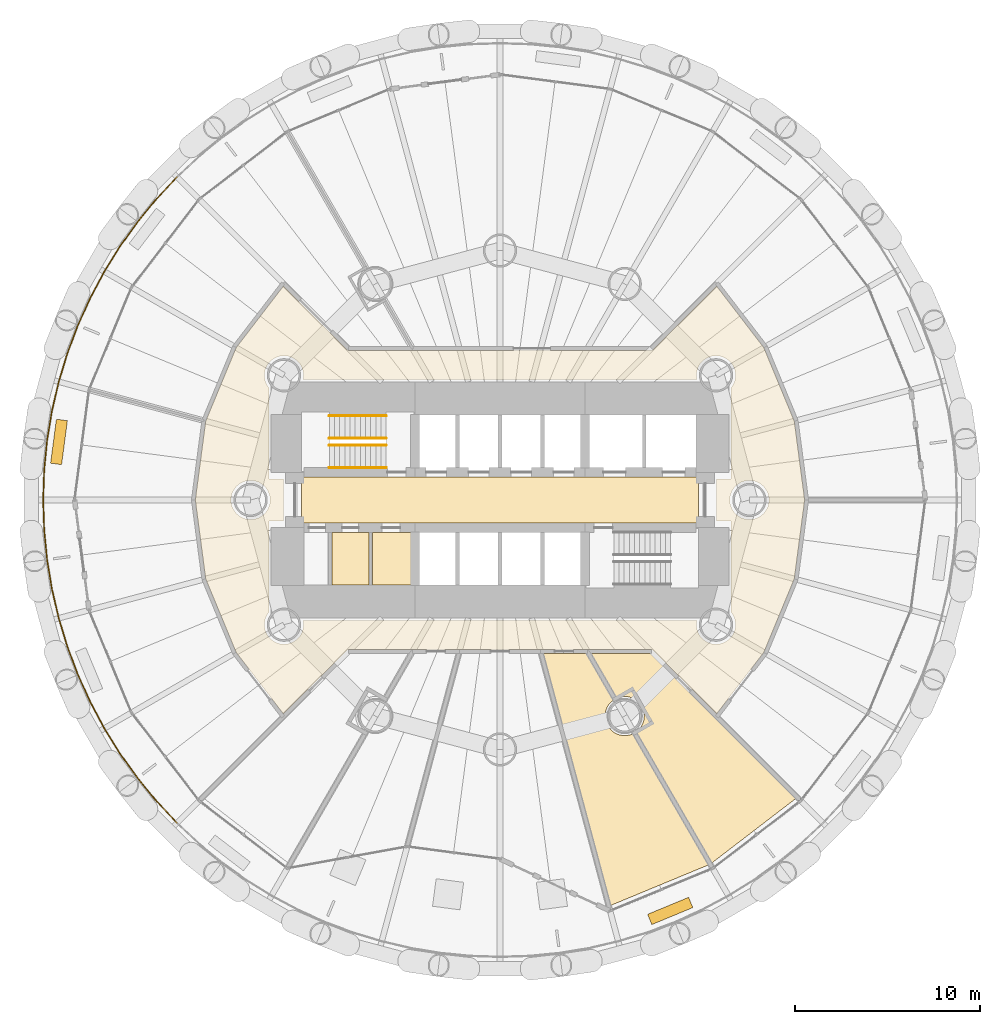
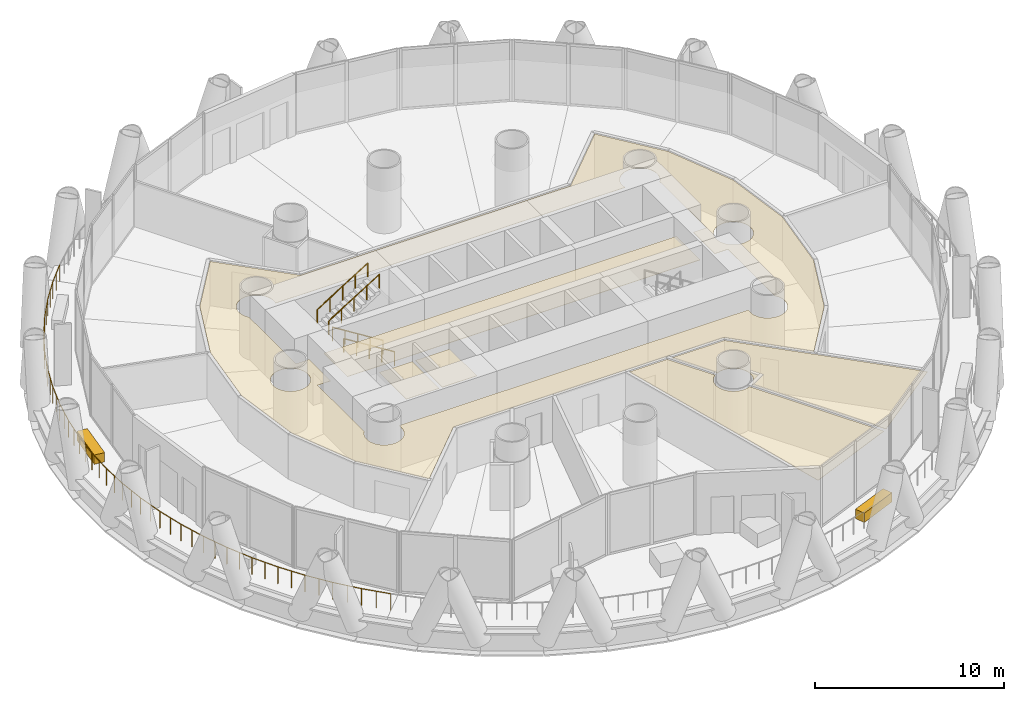
# One storey, part 13 of 15: 8 coverings, 5 railings.
"""IFC4 building model written with IfcOpenShell, lengths in metres."""

import ifcopenshell
import ifcopenshell.guid

model = None  # the IFC model being written
_history = None  # IfcOwnerHistory: only IFC2X3 demands one
_inside = {}  # id of a spatial element -> (the spatial element, [elements in it])
_under = {}  # id of a project, library or spatial element -> (it, [spatial elements below it])
_declared = {}  # id of a project -> (the project, [libraries it declares])
_typed = {}  # id of a type object -> (the type object, [elements of that type])
_made_of = {}  # id of a material, layer set ... -> (it, [elements and type objects made of it])


def new_model(schema):
    """Start an empty IFC model of exactly this schema.

    Asked for "IFC4X3", IfcOpenShell would pick the latest addendum, in which some entities
    have other attributes; the version numbers below select the first issue.
    IFC2X3 requires an IfcOwnerHistory on every rooted entity: one is made here for all.
    """
    global model, _history
    if schema == "IFC4X3":
        model = ifcopenshell.file(schema_version=(4, 3, 0, 0))
    else:
        model = ifcopenshell.file(schema=schema)
    _inside.clear()
    _under.clear()
    _declared.clear()
    _typed.clear()
    _made_of.clear()
    _history = None
    if model.schema == "IFC2X3":
        org = make("IfcOrganization", Name="unknown")
        user = make(
            "IfcPersonAndOrganization",
            ThePerson=make("IfcPerson", FamilyName="unknown"),
            TheOrganization=org,
        )
        app = make(
            "IfcApplication",
            ApplicationDeveloper=org,
            Version="unknown",
            ApplicationFullName="unknown",
            ApplicationIdentifier="unknown",
        )
        _history = make(
            "IfcOwnerHistory",
            OwningUser=user,
            OwningApplication=app,
            ChangeAction="ADDED",
            CreationDate=0,
        )
    return model


def make(cls, **values):
    """One entity of the class cls with the attributes given. An attribute that is None is left unset."""
    return model.create_entity(
        cls, **{name: value for name, value in values.items() if value is not None}
    )


def rooted(cls, **values):
    """An entity with a GlobalId (a new one), such as an element, a storey or a relation."""
    return make(cls, GlobalId=ifcopenshell.guid.new(), OwnerHistory=_history, **values)


def si_unit(unit_type, name, prefix=None):
    """IfcSIUnit, for example si_unit("LENGTHUNIT", "METRE", prefix="MILLI")."""
    return make("IfcSIUnit", UnitType=unit_type, Prefix=prefix, Name=name)


def assignment(units):
    """IfcUnitAssignment: the units of a project."""
    return None if units is None else make("IfcUnitAssignment", Units=units)


def point(xyz):
    """IfcCartesianPoint."""
    return None if xyz is None else make("IfcCartesianPoint", Coordinates=xyz)


def direction(xyz):
    """IfcDirection."""
    return None if xyz is None else make("IfcDirection", DirectionRatios=xyz)


def frame(location, z_axis=None, x_axis=None):
    """IfcAxis2Placement3D, a coordinate frame: its origin and axes. An axis left out is left unset."""
    return make(
        "IfcAxis2Placement3D",
        Location=point(location),
        Axis=direction(z_axis),
        RefDirection=direction(x_axis),
    )


def frame_2d(location, x_axis=None):
    """IfcAxis2Placement2D, a coordinate frame in the plane: its origin and x axis."""
    return make(
        "IfcAxis2Placement2D", Location=point(location), RefDirection=direction(x_axis)
    )


def origin():
    """The frame at (0, 0, 0) with its axes left unset."""
    return frame((0.0, 0.0, 0.0))


def origin_2d():
    """The frame at (0, 0) in the plane with its x axis left unset."""
    return frame_2d((0.0, 0.0))


def place(relative_to, where):
    """IfcLocalPlacement: puts the frame where relative to a parent placement (None: the world)."""
    return make(
        "IfcLocalPlacement", PlacementRelTo=relative_to, RelativePlacement=where
    )


def context(
    kind, dimensions, precision=None, world=None, true_north=None, identifier=None
):
    """IfcGeometricRepresentationContext, for example the 3D "Model" context."""
    return make(
        "IfcGeometricRepresentationContext",
        ContextIdentifier=identifier,
        ContextType=kind,
        CoordinateSpaceDimension=dimensions,
        Precision=precision,
        WorldCoordinateSystem=world,
        TrueNorth=true_north,
    )


def subcontext(parent, identifier, kind, view, scale=None):
    """IfcGeometricRepresentationSubContext, for example "Body" below "Model"."""
    return make(
        "IfcGeometricRepresentationSubContext",
        ContextIdentifier=identifier,
        ContextType=kind,
        ParentContext=parent,
        TargetScale=scale,
        TargetView=view,
    )


def project(units=None, contexts=None):
    """IfcProject with its units and contexts."""
    return rooted(
        "IfcProject",
        Name="project",
        RepresentationContexts=contexts,
        UnitsInContext=assignment(units),
    )


def spatial(cls, under=None, at=None, **own):
    """A site, building, storey or space (cls), placed at a placement, below another one or the project."""
    s = rooted(cls, ObjectPlacement=at, **own)
    if under is not None:
        _under.setdefault(under.id(), (under, []))[1].append(s)
    return s


def polyline(points):
    """IfcPolyline through the points."""
    return make("IfcPolyline", Points=[point(p) for p in points])


def profile(cls, at=None, kind="AREA", **sizes):
    """A parametric profile (cls). Its sizes go by their IFC names, for example OverallWidth=200.0."""
    return make(cls, ProfileType=kind, Position=at, **sizes)


def rectangle(**sizes):
    """IfcRectangleProfileDef."""
    return profile("IfcRectangleProfileDef", **sizes)


def circle(**sizes):
    """IfcCircleProfileDef."""
    return profile("IfcCircleProfileDef", **sizes)


def outline(outer, holes=None, kind="AREA"):
    """IfcArbitraryClosedProfileDef: a profile drawn as a closed curve; with holes, ...WithVoids."""
    if holes is None:
        return make("IfcArbitraryClosedProfileDef", ProfileType=kind, OuterCurve=outer)
    return make(
        "IfcArbitraryProfileDefWithVoids",
        ProfileType=kind,
        OuterCurve=outer,
        InnerCurves=holes,
    )


def extrude(swept, where, along, depth):
    """IfcExtrudedAreaSolid: the profile swept, set in the frame where, extruded along a direction by depth."""
    return make(
        "IfcExtrudedAreaSolid",
        SweptArea=swept,
        Position=where,
        ExtrudedDirection=direction(along),
        Depth=depth,
    )


def shape(context_of_items, identifier, shape_type, items):
    """IfcShapeRepresentation: the items that make up one representation, for example the "Body"."""
    return make(
        "IfcShapeRepresentation",
        ContextOfItems=context_of_items,
        RepresentationIdentifier=identifier,
        RepresentationType=shape_type,
        Items=items,
    )


def material(Name=None, Category=None):
    """IfcMaterial."""
    return make("IfcMaterial", Name=Name, Category=Category)


def layer(
    of_material, thickness, ventilated=None, Name=None, Category=None, Priority=None
):
    """IfcMaterialLayer: one layer of a wall or slab, of a material (None: an air gap)."""
    return make(
        "IfcMaterialLayer",
        Material=of_material,
        LayerThickness=thickness,
        IsVentilated=ventilated,
        Name=Name,
        Category=Category,
        Priority=Priority,
    )


def layer_set(layers, Name=None):
    """IfcMaterialLayerSet."""
    return make("IfcMaterialLayerSet", MaterialLayers=layers, LayerSetName=Name)


def made_of(thing, what):
    """Note that an element or type object is made of a material, layer set ...; save() writes the relation."""
    if what is not None:
        _made_of.setdefault(what.id(), (what, []))[1].append(thing)
    return thing


def type_object(cls, material=None, **own):
    """A type object (cls), such as IfcWallType, which elements share."""
    return made_of(rooted(cls, **own), material)


def element(
    cls,
    number,
    at=None,
    inside=None,
    cuts=None,
    type_object=None,
    material=None,
    context=None,
    identifier="Body",
    shape_type=None,
    held_by="IfcProductDefinitionShape",
    body=None,
    shapes=None,
    **own,
):
    """One element of the class cls, such as IfcWall. Its Tag is "e" and its number.

    at: its placement. inside: the storey or other place that contains it. cuts: it is an
    opening in that element (IfcRelVoidsElement). A single representation is given by context,
    identifier, shape_type and body (its items); several are given by shapes. held_by: the class
    of the entity that holds the representations. save() writes the other relations.
    """
    e = rooted(cls, Tag="e%d" % number, ObjectPlacement=at, **own)
    if body is not None:
        shapes = [shape(context, identifier, shape_type, body)]
    if shapes is not None:
        e.Representation = make(held_by, Representations=shapes)
    if inside is not None:
        _inside.setdefault(inside.id(), (inside, []))[1].append(e)
    if cuts is not None:
        rooted(
            "IfcRelVoidsElement", RelatingBuildingElement=cuts, RelatedOpeningElement=e
        )
    if type_object is not None:
        _typed.setdefault(type_object.id(), (type_object, []))[1].append(e)
    return made_of(e, material)


def aggregate(whole, parts):
    """IfcRelAggregates: a whole, such as a stair, and the parts it consists of."""
    return rooted("IfcRelAggregates", RelatingObject=whole, RelatedObjects=parts)


def save(model, path):
    """Write the relations noted so far, then the file.

    IfcRelAggregates (storeys below a building ...), IfcRelContainedInSpatialStructure (elements
    in a storey), IfcRelDefinesByType, IfcRelAssociatesMaterial and IfcRelDeclares: one each for
    every whole, place, type object, material and project.
    """
    for whole, parts in _under.values():
        aggregate(whole, parts)
    for where, things in _inside.values():
        rooted(
            "IfcRelContainedInSpatialStructure",
            RelatedElements=things,
            RelatingStructure=where,
        )
    for kind, things in _typed.values():
        rooted("IfcRelDefinesByType", RelatedObjects=things, RelatingType=kind)
    for what, things in _made_of.values():
        rooted("IfcRelAssociatesMaterial", RelatedObjects=things, RelatingMaterial=what)
    for by, libraries in _declared.values():
        rooted("IfcRelDeclares", RelatingContext=by, RelatedDefinitions=libraries)
    model.write(path)


model = new_model("IFC4")

# Units and contexts
model_context = context("Model", 3, precision=1e-05, world=origin(), true_north=direction((0.0, 1.0)))
body_context = subcontext(model_context, "Body", "Model", "MODEL_VIEW")
ifc_project = project(units=[si_unit("LENGTHUNIT", "METRE"), si_unit("AREAUNIT", "SQUARE_METRE"), si_unit("VOLUMEUNIT", "CUBIC_METRE"), si_unit("PLANEANGLEUNIT", "RADIAN"), si_unit("MASSUNIT", "GRAM", prefix="KILO")], contexts=[model_context])

# Site, building, storey
site_placement = place(None, origin())
site = spatial("IfcSite", under=ifc_project, at=site_placement, CompositionType="ELEMENT")
building_placement = place(site_placement, origin())
building = spatial("IfcBuilding", under=site, at=building_placement, Name="Qaws Media Tower", CompositionType="ELEMENT")
storey_placement = place(building_placement, frame((0.0, 0.0, 97.39990234375)))
storey = spatial("IfcBuildingStorey", under=building, at=storey_placement, Name="L21", CompositionType="ELEMENT", Elevation=97.39990234375)

# Railing
ifc_material_1 = material(Name="Stainless steel and glass guard", Category="steel")
railing_type_1 = type_object("IfcRailingType", Name="Balcony guard 1100", PredefinedType="GUARDRAIL", material=ifc_material_1)
railing_placement = place(storey_placement, frame((42.516845703125, 67.483154296875, 0.0)))
element("IfcRailing", 1, at=railing_placement, inside=storey, type_object=railing_type_1, Name="GR1 balcony guard L21-2", PredefinedType="GUARDRAIL", context=body_context, shape_type="SweptSolid", body=[
    extrude(circle(Radius=0.02392578125, at=origin_2d()), frame((0.0, 0.0, 1.076171875), z_axis=(-0.683644955453, -0.729814753813, 0.0), x_axis=(0.729814753813, -0.683644955453, 0.0)), (0.0, 0.0, 1.0), 1.6181640625),
    extrude(circle(Radius=0.02392578125, at=origin_2d()), frame((-1.106201171875, -1.180908203125, 1.076171875), z_axis=(-0.634362857361, -0.773035422992, 0.0), x_axis=(0.773035422992, -0.634362857361, 0.0)), (0.0, 0.0, 1.0), 1.617919921875),
    extrude(circle(Radius=0.02392578125, at=origin_2d()), frame((-2.132568359375, -2.431640625, 1.076171875), z_axis=(-0.582522264877, -0.812814745759, 0.0), x_axis=(0.812814745759, -0.582522264877, 0.0)), (0.0, 0.0, 1.0), 1.61767578125),
    extrude(circle(Radius=0.02392578125, at=origin_2d()), frame((-3.074951171875, -3.74658203125, 1.076171875), z_axis=(-0.528098829061, -0.84918291713, 0.0), x_axis=(0.84918291713, -0.528098829061, 0.0)), (0.0, 0.0, 1.0), 1.6181640625),
    extrude(circle(Radius=0.02392578125, at=origin_2d()), frame((-3.929443359375, -5.12060546875, 1.076171875), z_axis=(-0.471371200806, -0.88193491316, 0.0), x_axis=(0.88193491316, -0.471371200806, 0.0)), (0.0, 0.0, 1.0), 1.617919921875),
    extrude(circle(Radius=0.02392578125, at=origin_2d()), frame((-4.692138671875, -6.547607421875, 1.076171875), z_axis=(-0.412722552214, -0.91085679165, 0.0), x_axis=(0.91085679165, -0.412722552214, 0.0)), (0.0, 0.0, 1.0), 1.617919921875),
    extrude(circle(Radius=0.02392578125, at=origin_2d()), frame((-5.35986328125, -8.021240234375, 1.076171875), z_axis=(-0.352164948958, -0.935937951322, 0.0), x_axis=(0.935937951322, -0.352164948958, 0.0)), (0.0, 0.0, 1.0), 1.6181640625),
    extrude(circle(Radius=0.02392578125, at=origin_2d()), frame((-5.9296875, -9.53564453125, 1.076171875), z_axis=(-0.290350826937, -0.956920266949, 0.0), x_axis=(0.956920266949, -0.290350826937, 0.0)), (0.0, 0.0, 1.0), 1.61767578125),
    extrude(circle(Radius=0.02392578125, at=origin_2d()), frame((-6.3994140625, -11.083740234375, 1.076171875), z_axis=(-0.227062683053, -0.973880145585, 0.0), x_axis=(0.973880145585, -0.227062683053, 0.0)), (0.0, 0.0, 1.0), 1.6181640625),
    extrude(circle(Radius=0.02392578125, at=origin_2d()), frame((-6.766845703125, -12.65966796875, 1.076171875), z_axis=(-0.162832572423, -0.986653715018, 0.0), x_axis=(0.986653715018, -0.162832572423, 0.0)), (0.0, 0.0, 1.0), 1.61767578125),
    extrude(circle(Radius=0.02392578125, at=origin_2d()), frame((-7.0302734375, -14.255859375, 1.076171875), z_axis=(-0.098084271892, -0.995178112504, 0.0), x_axis=(0.995178112504, -0.098084271892, 0.0)), (0.0, 0.0, 1.0), 1.617919921875),
    extrude(circle(Radius=0.02392578125, at=origin_2d()), frame((-7.18896484375, -15.865966796875, 1.076171875), z_axis=(-0.032742097212, -0.999463833798, 0.0), x_axis=(0.999463833798, -0.032742097212, 0.0)), (0.0, 0.0, 1.0), 1.6181640625),
    extrude(circle(Radius=0.02392578125, at=origin_2d()), frame((-7.241943359375, -17.483154296875, 1.076171875), z_axis=(0.032742097212, -0.999463833798, 0.0), x_axis=(0.999463833798, 0.032742097212, 0.0)), (0.0, 0.0, 1.0), 1.6181640625),
    extrude(circle(Radius=0.02392578125, at=origin_2d()), frame((-7.18896484375, -19.100341796875, 1.076171875), z_axis=(0.098084271892, -0.995178112504, 0.0), x_axis=(0.995178112504, 0.098084271892, 0.0)), (0.0, 0.0, 1.0), 1.617919921875),
    extrude(circle(Radius=0.02392578125, at=origin_2d()), frame((-7.0302734375, -20.71044921875, 1.076171875), z_axis=(0.162832572423, -0.986653715018, 0.0), x_axis=(0.986653715018, 0.162832572423, 0.0)), (0.0, 0.0, 1.0), 1.61767578125),
    extrude(circle(Radius=0.02392578125, at=origin_2d()), frame((-6.766845703125, -22.306640625, 1.076171875), z_axis=(0.227062683053, -0.973880145585, 0.0), x_axis=(0.973880145585, 0.227062683053, 0.0)), (0.0, 0.0, 1.0), 1.6181640625),
    extrude(circle(Radius=0.02392578125, at=origin_2d()), frame((-6.3994140625, -23.882568359375, 1.076171875), z_axis=(0.290350826937, -0.956920266949, 0.0), x_axis=(0.956920266949, 0.290350826937, 0.0)), (0.0, 0.0, 1.0), 1.61767578125),
    extrude(circle(Radius=0.02392578125, at=origin_2d()), frame((-5.9296875, -25.4306640625, 1.076171875), z_axis=(0.352164948958, -0.935937951322, 0.0), x_axis=(0.935937951322, 0.352164948958, 0.0)), (0.0, 0.0, 1.0), 1.6181640625),
    extrude(circle(Radius=0.02392578125, at=origin_2d()), frame((-5.35986328125, -26.945068359375, 1.076171875), z_axis=(0.412722552214, -0.91085679165, 0.0), x_axis=(0.91085679165, 0.412722552214, 0.0)), (0.0, 0.0, 1.0), 1.617919921875),
    extrude(circle(Radius=0.02392578125, at=origin_2d()), frame((-4.692138671875, -28.418701171875, 1.076171875), z_axis=(0.471371200806, -0.88193491316, 0.0), x_axis=(0.88193491316, 0.471371200806, 0.0)), (0.0, 0.0, 1.0), 1.617919921875),
    extrude(circle(Radius=0.02392578125, at=origin_2d()), frame((-3.929443359375, -29.845703125, 1.076171875), z_axis=(0.528098829061, -0.84918291713, 0.0), x_axis=(0.84918291713, 0.528098829061, 0.0)), (0.0, 0.0, 1.0), 1.6181640625),
    extrude(circle(Radius=0.02392578125, at=origin_2d()), frame((-3.074951171875, -31.2197265625, 1.076171875), z_axis=(0.582522264877, -0.812814745759, 0.0), x_axis=(0.812814745759, 0.582522264877, 0.0)), (0.0, 0.0, 1.0), 1.61767578125),
    extrude(circle(Radius=0.02392578125, at=origin_2d()), frame((-2.132568359375, -32.53466796875, 1.076171875), z_axis=(0.634362857361, -0.773035422992, 0.0), x_axis=(0.773035422992, 0.634362857361, 0.0)), (0.0, 0.0, 1.0), 1.617919921875),
    extrude(circle(Radius=0.02392578125, at=origin_2d()), frame((-1.106201171875, -33.785400390625, 1.076171875), z_axis=(0.683644955453, -0.729814753813, 0.0), x_axis=(0.729814753813, 0.683644955453, 0.0)), (0.0, 0.0, 1.0), 1.6181640625),
    extrude(circle(Radius=0.02099609375, at=origin_2d()), origin(), (0.0, 0.0, 1.0), 1.052001953125),
    extrude(circle(Radius=0.02099609375, at=origin_2d()), frame((-0.55322265625, -0.59033203125, 0.0)), (0.0, 0.0, 1.0), 1.052001953125),
    extrude(circle(Radius=0.02099609375, at=origin_2d()), frame((-1.106201171875, -1.180908203125, 0.0)), (0.0, 0.0, 1.0), 1.052001953125),
    extrude(circle(Radius=0.02099609375, at=origin_2d()), frame((-1.619384765625, -1.80615234375, 0.0)), (0.0, 0.0, 1.0), 1.052001953125),
    extrude(circle(Radius=0.02099609375, at=origin_2d()), frame((-2.132568359375, -2.431640625, 0.0)), (0.0, 0.0, 1.0), 1.052001953125),
    extrude(circle(Radius=0.02099609375, at=origin_2d()), frame((-2.603759765625, -3.089111328125, 0.0)), (0.0, 0.0, 1.0), 1.052001953125),
    extrude(circle(Radius=0.02099609375, at=origin_2d()), frame((-3.074951171875, -3.74658203125, 0.0)), (0.0, 0.0, 1.0), 1.052001953125),
    extrude(circle(Radius=0.02099609375, at=origin_2d()), frame((-3.502197265625, -4.43359375, 0.0)), (0.0, 0.0, 1.0), 1.052001953125),
    extrude(circle(Radius=0.02099609375, at=origin_2d()), frame((-3.929443359375, -5.12060546875, 0.0)), (0.0, 0.0, 1.0), 1.052001953125),
    extrude(circle(Radius=0.02099609375, at=origin_2d()), frame((-4.310791015625, -5.833984375, 0.0)), (0.0, 0.0, 1.0), 1.052001953125),
    extrude(circle(Radius=0.02099609375, at=origin_2d()), frame((-4.692138671875, -6.547607421875, 0.0)), (0.0, 0.0, 1.0), 1.052001953125),
    extrude(circle(Radius=0.02099609375, at=origin_2d()), frame((-5.02587890625, -7.284423828125, 0.0)), (0.0, 0.0, 1.0), 1.052001953125),
    extrude(circle(Radius=0.02099609375, at=origin_2d()), frame((-5.35986328125, -8.021240234375, 0.0)), (0.0, 0.0, 1.0), 1.052001953125),
    extrude(circle(Radius=0.02099609375, at=origin_2d()), frame((-5.644775390625, -8.7783203125, 0.0)), (0.0, 0.0, 1.0), 1.052001953125),
    extrude(circle(Radius=0.02099609375, at=origin_2d()), frame((-5.9296875, -9.53564453125, 0.0)), (0.0, 0.0, 1.0), 1.052001953125),
    extrude(circle(Radius=0.02099609375, at=origin_2d()), frame((-6.16455078125, -10.3095703125, 0.0)), (0.0, 0.0, 1.0), 1.052001953125),
    extrude(circle(Radius=0.02099609375, at=origin_2d()), frame((-6.3994140625, -11.083740234375, 0.0)), (0.0, 0.0, 1.0), 1.052001953125),
    extrude(circle(Radius=0.02099609375, at=origin_2d()), frame((-6.5830078125, -11.87158203125, 0.0)), (0.0, 0.0, 1.0), 1.052001953125),
    extrude(circle(Radius=0.02099609375, at=origin_2d()), frame((-6.766845703125, -12.65966796875, 0.0)), (0.0, 0.0, 1.0), 1.052001953125),
    extrude(circle(Radius=0.02099609375, at=origin_2d()), frame((-6.8984375, -13.457763671875, 0.0)), (0.0, 0.0, 1.0), 1.052001953125),
    extrude(circle(Radius=0.02099609375, at=origin_2d()), frame((-7.0302734375, -14.255859375, 0.0)), (0.0, 0.0, 1.0), 1.052001953125),
    extrude(circle(Radius=0.02099609375, at=origin_2d()), frame((-7.109619140625, -15.06103515625, 0.0)), (0.0, 0.0, 1.0), 1.052001953125),
    extrude(circle(Radius=0.02099609375, at=origin_2d()), frame((-7.18896484375, -15.865966796875, 0.0)), (0.0, 0.0, 1.0), 1.052001953125),
    extrude(circle(Radius=0.02099609375, at=origin_2d()), frame((-7.21533203125, -16.674560546875, 0.0)), (0.0, 0.0, 1.0), 1.052001953125),
    extrude(circle(Radius=0.02099609375, at=origin_2d()), frame((-7.241943359375, -17.483154296875, 0.0)), (0.0, 0.0, 1.0), 1.052001953125),
    extrude(circle(Radius=0.02099609375, at=origin_2d()), frame((-7.21533203125, -18.291748046875, 0.0)), (0.0, 0.0, 1.0), 1.052001953125),
    extrude(circle(Radius=0.02099609375, at=origin_2d()), frame((-7.18896484375, -19.100341796875, 0.0)), (0.0, 0.0, 1.0), 1.052001953125),
    extrude(circle(Radius=0.02099609375, at=origin_2d()), frame((-7.109619140625, -19.9052734375, 0.0)), (0.0, 0.0, 1.0), 1.052001953125),
    extrude(circle(Radius=0.02099609375, at=origin_2d()), frame((-7.0302734375, -20.71044921875, 0.0)), (0.0, 0.0, 1.0), 1.052001953125),
    extrude(circle(Radius=0.02099609375, at=origin_2d()), frame((-6.8984375, -21.508544921875, 0.0)), (0.0, 0.0, 1.0), 1.052001953125),
    extrude(circle(Radius=0.02099609375, at=origin_2d()), frame((-6.766845703125, -22.306640625, 0.0)), (0.0, 0.0, 1.0), 1.052001953125),
    extrude(circle(Radius=0.02099609375, at=origin_2d()), frame((-6.5830078125, -23.0947265625, 0.0)), (0.0, 0.0, 1.0), 1.052001953125),
    extrude(circle(Radius=0.02099609375, at=origin_2d()), frame((-6.3994140625, -23.882568359375, 0.0)), (0.0, 0.0, 1.0), 1.052001953125),
    extrude(circle(Radius=0.02099609375, at=origin_2d()), frame((-6.16455078125, -24.65673828125, 0.0)), (0.0, 0.0, 1.0), 1.052001953125),
    extrude(circle(Radius=0.02099609375, at=origin_2d()), frame((-5.9296875, -25.4306640625, 0.0)), (0.0, 0.0, 1.0), 1.052001953125),
    extrude(circle(Radius=0.02099609375, at=origin_2d()), frame((-5.644775390625, -26.18798828125, 0.0)), (0.0, 0.0, 1.0), 1.052001953125),
    extrude(circle(Radius=0.02099609375, at=origin_2d()), frame((-5.35986328125, -26.945068359375, 0.0)), (0.0, 0.0, 1.0), 1.052001953125),
    extrude(circle(Radius=0.02099609375, at=origin_2d()), frame((-5.02587890625, -27.681884765625, 0.0)), (0.0, 0.0, 1.0), 1.052001953125),
    extrude(circle(Radius=0.02099609375, at=origin_2d()), frame((-4.692138671875, -28.418701171875, 0.0)), (0.0, 0.0, 1.0), 1.052001953125),
    extrude(circle(Radius=0.02099609375, at=origin_2d()), frame((-4.310791015625, -29.13232421875, 0.0)), (0.0, 0.0, 1.0), 1.052001953125),
    extrude(circle(Radius=0.02099609375, at=origin_2d()), frame((-3.929443359375, -29.845703125, 0.0)), (0.0, 0.0, 1.0), 1.052001953125),
    extrude(circle(Radius=0.02099609375, at=origin_2d()), frame((-3.502197265625, -30.53271484375, 0.0)), (0.0, 0.0, 1.0), 1.052001953125),
    extrude(circle(Radius=0.02099609375, at=origin_2d()), frame((-3.074951171875, -31.2197265625, 0.0)), (0.0, 0.0, 1.0), 1.052001953125),
    extrude(circle(Radius=0.02099609375, at=origin_2d()), frame((-2.603759765625, -31.877197265625, 0.0)), (0.0, 0.0, 1.0), 1.052001953125),
    extrude(circle(Radius=0.02099609375, at=origin_2d()), frame((-2.132568359375, -32.53466796875, 0.0)), (0.0, 0.0, 1.0), 1.052001953125),
    extrude(circle(Radius=0.02099609375, at=origin_2d()), frame((-1.619384765625, -33.16015625, 0.0)), (0.0, 0.0, 1.0), 1.052001953125),
    extrude(circle(Radius=0.02099609375, at=origin_2d()), frame((-1.106201171875, -33.785400390625, 0.0)), (0.0, 0.0, 1.0), 1.052001953125),
    extrude(circle(Radius=0.02099609375, at=origin_2d()), frame((-0.55322265625, -34.3759765625, 0.0)), (0.0, 0.0, 1.0), 1.052001953125),
    extrude(circle(Radius=0.02099609375, at=origin_2d()), frame((0.0, -34.96630859375, 0.0)), (0.0, 0.0, 1.0), 1.052001953125),
])

# Coverings
ifc_material_2 = material(Name="600 x 600 mineral fibre tiles in exposed grid, suspended", Category="mineral fibre")
ifc_layer_1 = layer(ifc_material_2, 0.02001953125)
ifc_layer_set_1 = layer_set([ifc_layer_1], Name="Mineral fibre tile ceiling 20")
covering_type_1 = type_object("IfcCoveringType", Name="Mineral fibre tile ceiling 20", PredefinedType="CEILING", material=ifc_layer_set_1)
covering_1_placement = place(storey_placement, frame((0.0, 0.0, 2.85009765625)))
element("IfcCovering", 2, at=covering_1_placement, inside=storey, type_object=covering_type_1, Name="CL1 ceiling L21-01 Corridor", PredefinedType="CEILING", context=body_context, shape_type="SweptSolid", body=[
    extrude(outline(polyline([(44.0751953125, 45.73291015625), (43.513427734375, 50.0), (44.0751953125, 54.26708984375), (45.72216796875, 58.243408203125), (48.273193359375, 61.567626953125), (51.75341796875, 58.08740234375), (68.24658203125, 58.08740234375), (71.726806640625, 61.567626953125), (74.27783203125, 58.243408203125), (75.9248046875, 54.26708984375), (76.486572265625, 50.0), (75.9248046875, 45.73291015625), (74.27783203125, 41.756591796875), (71.726806640625, 38.432373046875), (68.24658203125, 41.91259765625), (51.75341796875, 41.91259765625), (48.273193359375, 38.432373046875), (45.72216796875, 41.756591796875), (44.0751953125, 45.73291015625)]), holes=[polyline([(72.512451171875, 48.862548828125), (71.71240234375, 48.862548828125), (71.71240234375, 51.137451171875), (72.512451171875, 51.137451171875), (72.512451171875, 56.08203125), (72.5322265625, 56.104736328125), (72.609375, 56.219970703125), (72.670654296875, 56.344482421875), (72.715087890625, 56.4755859375), (72.7421875, 56.611572265625), (72.751220703125, 56.75), (72.7421875, 56.888427734375), (72.715087890625, 57.0244140625), (72.670654296875, 57.155517578125), (72.609375, 57.280029296875), (72.5322265625, 57.395263671875), (72.44091796875, 57.49951171875), (72.336669921875, 57.591064453125), (72.22119140625, 57.66796875), (72.096923828125, 57.729248046875), (71.9658203125, 57.77392578125), (71.82958984375, 57.80078125), (71.69140625, 57.81005859375), (71.552978515625, 57.80078125), (71.4169921875, 57.77392578125), (71.28564453125, 57.729248046875), (71.161376953125, 57.66796875), (71.046142578125, 57.591064453125), (70.94189453125, 57.49951171875), (70.850341796875, 57.395263671875), (70.7734375, 57.280029296875), (70.7119140625, 57.155517578125), (70.66748046875, 57.0244140625), (70.640380859375, 56.888427734375), (70.63134765625, 56.75), (70.640380859375, 56.611572265625), (70.66015625, 56.512451171875), (49.33984375, 56.512451171875), (49.359619140625, 56.611572265625), (49.36865234375, 56.75), (49.359619140625, 56.888427734375), (49.33251953125, 57.0244140625), (49.2880859375, 57.155517578125), (49.2265625, 57.280029296875), (49.149658203125, 57.395263671875), (49.05810546875, 57.49951171875), (48.953857421875, 57.591064453125), (48.838623046875, 57.66796875), (48.71435546875, 57.729248046875), (48.5830078125, 57.77392578125), (48.447021484375, 57.80078125), (48.30859375, 57.81005859375), (48.17041015625, 57.80078125), (48.0341796875, 57.77392578125), (47.903076171875, 57.729248046875), (47.77880859375, 57.66796875), (47.663330078125, 57.591064453125), (47.55908203125, 57.49951171875), (47.4677734375, 57.395263671875), (47.390625, 57.280029296875), (47.329345703125, 57.155517578125), (47.284912109375, 57.0244140625), (47.2578125, 56.888427734375), (47.248779296875, 56.75), (47.2578125, 56.611572265625), (47.284912109375, 56.4755859375), (47.329345703125, 56.344482421875), (47.390625, 56.219970703125), (47.4677734375, 56.104736328125), (47.487548828125, 56.08203125), (47.487548828125, 51.137451171875), (48.28759765625, 51.137451171875), (48.28759765625, 48.862548828125), (47.487548828125, 48.862548828125), (47.487548828125, 43.91796875), (47.4677734375, 43.895263671875), (47.390625, 43.780029296875), (47.329345703125, 43.655517578125), (47.284912109375, 43.5244140625), (47.2578125, 43.388427734375), (47.248779296875, 43.25), (47.2578125, 43.111572265625), (47.284912109375, 42.9755859375), (47.329345703125, 42.844482421875), (47.390625, 42.719970703125), (47.4677734375, 42.604736328125), (47.55908203125, 42.50048828125), (47.663330078125, 42.408935546875), (47.77880859375, 42.33203125), (47.903076171875, 42.270751953125), (48.0341796875, 42.22607421875), (48.17041015625, 42.19921875), (48.30859375, 42.18994140625), (48.447021484375, 42.19921875), (48.5830078125, 42.22607421875), (48.71435546875, 42.270751953125), (48.838623046875, 42.33203125), (48.953857421875, 42.408935546875), (49.05810546875, 42.50048828125), (49.149658203125, 42.604736328125), (49.2265625, 42.719970703125), (49.2880859375, 42.844482421875), (49.33251953125, 42.9755859375), (49.359619140625, 43.111572265625), (49.36865234375, 43.25), (49.359619140625, 43.388427734375), (49.33984375, 43.487548828125), (70.66015625, 43.487548828125), (70.640380859375, 43.388427734375), (70.63134765625, 43.25), (70.640380859375, 43.111572265625), (70.66748046875, 42.9755859375), (70.7119140625, 42.844482421875), (70.7734375, 42.719970703125), (70.850341796875, 42.604736328125), (70.94189453125, 42.50048828125), (71.046142578125, 42.408935546875), (71.161376953125, 42.33203125), (71.28564453125, 42.270751953125), (71.4169921875, 42.22607421875), (71.552978515625, 42.19921875), (71.69140625, 42.18994140625), (71.82958984375, 42.19921875), (71.9658203125, 42.22607421875), (72.096923828125, 42.270751953125), (72.22119140625, 42.33203125), (72.336669921875, 42.408935546875), (72.44091796875, 42.50048828125), (72.5322265625, 42.604736328125), (72.609375, 42.719970703125), (72.670654296875, 42.844482421875), (72.715087890625, 42.9755859375), (72.7421875, 43.111572265625), (72.751220703125, 43.25), (72.7421875, 43.388427734375), (72.715087890625, 43.5244140625), (72.670654296875, 43.655517578125), (72.609375, 43.780029296875), (72.5322265625, 43.895263671875), (72.512451171875, 43.91796875), (72.512451171875, 48.862548828125)]), polyline([(47.479248046875, 49.594482421875), (47.52392578125, 49.7255859375), (47.55078125, 49.861572265625), (47.56005859375, 50.0), (47.55078125, 50.138427734375), (47.52392578125, 50.2744140625), (47.479248046875, 50.405517578125), (47.41796875, 50.530029296875), (47.341064453125, 50.645263671875), (47.24951171875, 50.74951171875), (47.145263671875, 50.841064453125), (47.030029296875, 50.91796875), (46.905517578125, 50.979248046875), (46.7744140625, 51.02392578125), (46.638427734375, 51.05078125), (46.5, 51.06005859375), (46.361572265625, 51.05078125), (46.2255859375, 51.02392578125), (46.094482421875, 50.979248046875), (45.969970703125, 50.91796875), (45.854736328125, 50.841064453125), (45.75048828125, 50.74951171875), (45.658935546875, 50.645263671875), (45.58203125, 50.530029296875), (45.520751953125, 50.405517578125), (45.47607421875, 50.2744140625), (45.44921875, 50.138427734375), (45.43994140625, 50.0), (45.44921875, 49.861572265625), (45.47607421875, 49.7255859375), (45.520751953125, 49.594482421875), (45.58203125, 49.469970703125), (45.658935546875, 49.354736328125), (45.75048828125, 49.25048828125), (45.854736328125, 49.158935546875), (45.969970703125, 49.08203125), (46.094482421875, 49.020751953125), (46.2255859375, 48.97607421875), (46.361572265625, 48.94921875), (46.5, 48.93994140625), (46.638427734375, 48.94921875), (46.7744140625, 48.97607421875), (46.905517578125, 49.020751953125), (47.030029296875, 49.08203125), (47.145263671875, 49.158935546875), (47.24951171875, 49.25048828125), (47.341064453125, 49.354736328125), (47.41796875, 49.469970703125), (47.479248046875, 49.594482421875)]), polyline([(74.52392578125, 49.7255859375), (74.55078125, 49.861572265625), (74.56005859375, 50.0), (74.55078125, 50.138427734375), (74.52392578125, 50.2744140625), (74.479248046875, 50.405517578125), (74.41796875, 50.530029296875), (74.341064453125, 50.645263671875), (74.24951171875, 50.74951171875), (74.145263671875, 50.841064453125), (74.030029296875, 50.91796875), (73.905517578125, 50.979248046875), (73.7744140625, 51.02392578125), (73.638427734375, 51.05078125), (73.5, 51.06005859375), (73.361572265625, 51.05078125), (73.2255859375, 51.02392578125), (73.094482421875, 50.979248046875), (72.969970703125, 50.91796875), (72.854736328125, 50.841064453125), (72.75048828125, 50.74951171875), (72.658935546875, 50.645263671875), (72.58203125, 50.530029296875), (72.520751953125, 50.405517578125), (72.47607421875, 50.2744140625), (72.44921875, 50.138427734375), (72.43994140625, 50.0), (72.44921875, 49.861572265625), (72.47607421875, 49.7255859375), (72.520751953125, 49.594482421875), (72.58203125, 49.469970703125), (72.658935546875, 49.354736328125), (72.75048828125, 49.25048828125), (72.854736328125, 49.158935546875), (72.969970703125, 49.08203125), (73.094482421875, 49.020751953125), (73.2255859375, 48.97607421875), (73.361572265625, 48.94921875), (73.5, 48.93994140625), (73.638427734375, 48.94921875), (73.7744140625, 48.97607421875), (73.905517578125, 49.020751953125), (74.030029296875, 49.08203125), (74.145263671875, 49.158935546875), (74.24951171875, 49.25048828125), (74.341064453125, 49.354736328125), (74.41796875, 49.469970703125), (74.479248046875, 49.594482421875), (74.52392578125, 49.7255859375)])]), origin(), (0.0, 0.0, 1.0), 0.02001953125),
])
covering_2_placement = place(storey_placement, frame((0.0, 0.0, 2.85009765625)))
element("IfcCovering", 3, at=covering_2_placement, inside=storey, type_object=covering_type_1, Name="CL1 ceiling L21-08 Gents toilets", PredefinedType="CEILING", context=body_context, shape_type="SweptSolid", body=[
    extrude(outline(polyline([(62.34375, 41.6875), (64.669189453125, 41.6875), (66.126220703125, 39.1640625), (66.104736328125, 39.149658203125), (66.00048828125, 39.05810546875), (65.908935546875, 38.953857421875), (65.83203125, 38.838623046875), (65.770751953125, 38.71435546875), (65.72607421875, 38.5830078125), (65.69921875, 38.447021484375), (65.68994140625, 38.30859375), (65.69921875, 38.17041015625), (65.72607421875, 38.0341796875), (65.770751953125, 37.903076171875), (65.83203125, 37.77880859375), (65.908935546875, 37.663330078125), (66.00048828125, 37.55908203125), (66.104736328125, 37.4677734375), (66.219970703125, 37.390625), (66.344482421875, 37.329345703125), (66.4755859375, 37.284912109375), (66.611572265625, 37.2578125), (66.75, 37.248779296875), (66.888427734375, 37.2578125), (67.0244140625, 37.284912109375), (67.155517578125, 37.329345703125), (67.178955078125, 37.3408203125), (71.275390625, 30.24560546875), (65.99560546875, 28.05859375), (62.34375, 41.6875)])), origin(), (0.0, 0.0, 1.0), 0.02001953125),
])
covering_3_placement = place(storey_placement, frame((0.0, 0.0, 2.85009765625)))
element("IfcCovering", 4, at=covering_3_placement, inside=storey, type_object=covering_type_1, Name="CL1 ceiling L21-09 Ladies toilets", PredefinedType="CEILING", context=body_context, shape_type="SweptSolid", body=[
    extrude(outline(polyline([(71.47021484375, 30.358154296875), (67.373779296875, 37.453369140625), (67.395263671875, 37.4677734375), (67.49951171875, 37.55908203125), (67.591064453125, 37.663330078125), (67.66796875, 37.77880859375), (67.729248046875, 37.903076171875), (67.77392578125, 38.0341796875), (67.80078125, 38.17041015625), (67.81005859375, 38.30859375), (67.80078125, 38.447021484375), (67.77392578125, 38.5830078125), (67.729248046875, 38.71435546875), (67.66796875, 38.838623046875), (67.591064453125, 38.953857421875), (67.49951171875, 39.05810546875), (67.395263671875, 39.149658203125), (67.280029296875, 39.2265625), (67.155517578125, 39.2880859375), (67.0244140625, 39.33251953125), (66.888427734375, 39.359619140625), (66.75, 39.36865234375), (66.611572265625, 39.359619140625), (66.4755859375, 39.33251953125), (66.344482421875, 39.2880859375), (66.321044921875, 39.276611328125), (64.92919921875, 41.6875), (68.1533203125, 41.6875), (76.00390625, 33.8369140625), (71.47021484375, 30.358154296875)])), origin(), (0.0, 0.0, 1.0), 0.02001953125),
])
covering_4_placement = place(storey_placement, frame((0.0, 0.0, 2.85009765625)))
element("IfcCovering", 5, at=covering_4_placement, inside=storey, type_object=covering_type_1, Name="CL1 ceiling L21-C05 First aid room", PredefinedType="CEILING", context=body_context, shape_type="SweptSolid", body=[
    extrude(outline(polyline([(50.89990234375, 45.39990234375), (50.89990234375, 48.25), (52.89990234375, 48.25), (52.89990234375, 45.39990234375), (50.89990234375, 45.39990234375)])), origin(), (0.0, 0.0, 1.0), 0.02001953125),
])
ifc_material_3 = material(Name="Precast concrete planter with trailing planting", Category="concrete")
ifc_layer_2 = layer(ifc_material_3, 0.60009765625)
ifc_layer_set_2 = layer_set([ifc_layer_2], Name="Planter 2400x600")
covering_type_2 = type_object("IfcCoveringType", Name="Planter 2400x600", PredefinedType="USERDEFINED", material=ifc_layer_set_2)
for number, where, z_axis, x_axis, name in (
    (6, (36.130859375, 53.142333984375, 0.0), (0.0, 0.0, 1.0), (-0.13052619222, -0.991444861374, 0.0), "PL1 balcony planter L21-06"),
    (7, (69.213134765625, 27.757568359375, 0.0), (0.0, 0.0, 1.0), (0.923879532511, 0.382683432365, 0.0), "PL1 balcony planter L21-10"),
):
    element("IfcCovering", number, at=place(storey_placement, frame(where, z_axis=z_axis, x_axis=x_axis)), inside=storey, type_object=covering_type_2, Name=name, ObjectType="PLANTER", PredefinedType="USERDEFINED", context=body_context, shape_type="SweptSolid", body=[
        extrude(rectangle(XDim=2.39990234375, YDim=0.60009765625, at=origin_2d()), origin(), (0.0, 0.0, 1.0), 0.60009765625),
    ])
ifc_material_4 = material(Name="Two layers 12.5 moisture-resistant plasterboard on suspended metal furring", Category="gypsum")
ifc_layer_3 = layer(ifc_material_4, 0.02490234375)
ifc_layer_set_3 = layer_set([ifc_layer_3], Name="Plasterboard ceiling 25")
covering_type_3 = type_object("IfcCoveringType", Name="Plasterboard ceiling 25", PredefinedType="CEILING", material=ifc_layer_set_3)
covering_5_placement = place(storey_placement, frame((0.0, 0.0, 2.85009765625)))
element("IfcCovering", 8, at=covering_5_placement, inside=storey, type_object=covering_type_3, Name="CL2 ceiling L21-C01 Lift lobby", PredefinedType="CEILING", context=body_context, shape_type="SweptSolid", body=[
    extrude(outline(polyline([(49.25, 48.75), (49.25, 51.25), (70.75, 51.25), (70.75, 48.75), (49.25, 48.75)])), origin(), (0.0, 0.0, 1.0), 0.02490234375),
])
covering_6_placement = place(storey_placement, frame((0.0, 0.0, 2.85009765625)))
element("IfcCovering", 9, at=covering_6_placement, inside=storey, type_object=covering_type_3, Name="CL2 ceiling L21-C06 Accessible WC", PredefinedType="CEILING", context=body_context, shape_type="SweptSolid", body=[
    extrude(outline(polyline([(53.10009765625, 45.39990234375), (53.10009765625, 48.25), (55.199951171875, 48.25), (55.199951171875, 45.39990234375), (53.10009765625, 45.39990234375)])), origin(), (0.0, 0.0, 1.0), 0.02490234375),
])

# Railings
ifc_material_5 = material(Name="Steel tube handrail", Category="steel")
railing_type_2 = type_object("IfcRailingType", Name="Stair handrail 900", PredefinedType="HANDRAIL", material=ifc_material_5)
for number, where, name in (
    (10, (53.840087890625, 51.75, 0.175048828125), "HR1 handrail S1 flight 1 L21"),
    (11, (53.840087890625, 52.9599609375, 0.175048828125), "HR1 handrail S1 flight 1 L21"),
):
    element("IfcRailing", number, at=place(storey_placement, frame(where)), inside=storey, type_object=railing_type_2, Name=name, PredefinedType="HANDRAIL", context=body_context, shape_type="SweptSolid", body=[
        extrude(circle(Radius=0.02392578125, at=origin_2d()), frame((0.0, 0.0, 0.8759765625), z_axis=(-0.847998304005, 0.0, 0.529998940003), x_axis=(0.0, -1.0, 0.0)), (0.0, 0.0, 1.0), 3.632080078125),
        extrude(circle(Radius=0.02099609375, at=origin_2d()), origin(), (0.0, 0.0, 1.0), 0.851806640625),
        extrude(circle(Radius=0.02099609375, at=origin_2d()), frame((-0.77001953125, 0.0, 0.481201171875)), (0.0, 0.0, 1.0), 0.851806640625),
        extrude(circle(Radius=0.02099609375, at=origin_2d()), frame((-1.5400390625, 0.0, 0.96240234375)), (0.0, 0.0, 1.0), 0.851806640625),
        extrude(circle(Radius=0.02099609375, at=origin_2d()), frame((-2.31005859375, 0.0, 1.44384765625)), (0.0, 0.0, 1.0), 0.851806640625),
        extrude(circle(Radius=0.02099609375, at=origin_2d()), frame((-3.080078125, 0.0, 1.925048828125)), (0.0, 0.0, 1.0), 0.851806640625),
    ])
for number, where, name in (
    (12, (50.760009765625, 54.550048828125, 2.275146484375), "HR1 handrail S1 flight 2 L21"),
    (13, (50.760009765625, 53.340087890625, 2.275146484375), "HR1 handrail S1 flight 2 L21"),
):
    element("IfcRailing", number, at=place(storey_placement, frame(where)), inside=storey, type_object=railing_type_2, Name=name, PredefinedType="HANDRAIL", context=body_context, shape_type="SweptSolid", body=[
        extrude(circle(Radius=0.02392578125, at=origin_2d()), frame((0.0, 0.0, 0.8759765625), z_axis=(0.847998304005, 0.0, 0.529998940003), x_axis=(0.0, 1.0, 0.0)), (0.0, 0.0, 1.0), 3.632080078125),
        extrude(circle(Radius=0.02099609375, at=origin_2d()), origin(), (0.0, 0.0, 1.0), 0.851806640625),
        extrude(circle(Radius=0.02099609375, at=origin_2d()), frame((0.77001953125, 0.0, 0.481201171875)), (0.0, 0.0, 1.0), 0.851806640625),
        extrude(circle(Radius=0.02099609375, at=origin_2d()), frame((1.5400390625, 0.0, 0.96240234375)), (0.0, 0.0, 1.0), 0.851806640625),
        extrude(circle(Radius=0.02099609375, at=origin_2d()), frame((2.31005859375, 0.0, 1.44384765625)), (0.0, 0.0, 1.0), 0.851806640625),
        extrude(circle(Radius=0.02099609375, at=origin_2d()), frame((3.080078125, 0.0, 1.925048828125)), (0.0, 0.0, 1.0), 0.851806640625),
    ])

save(model, "model.ifc")
